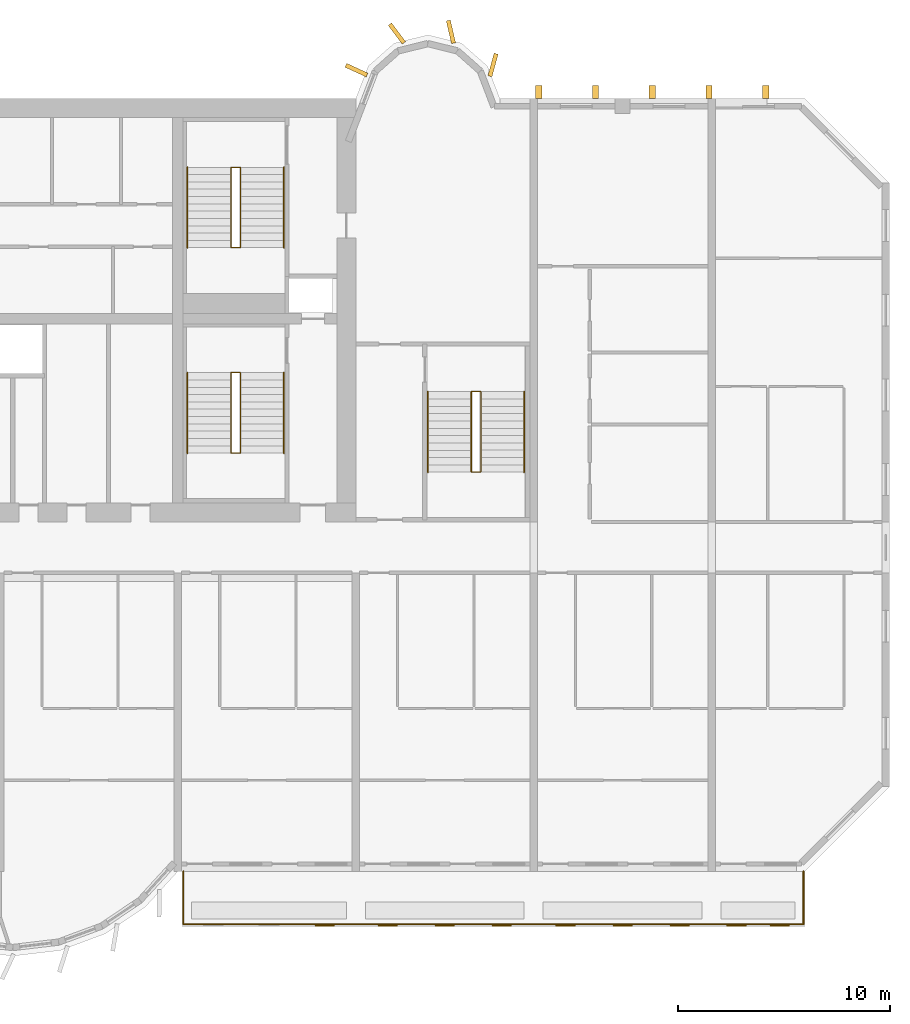
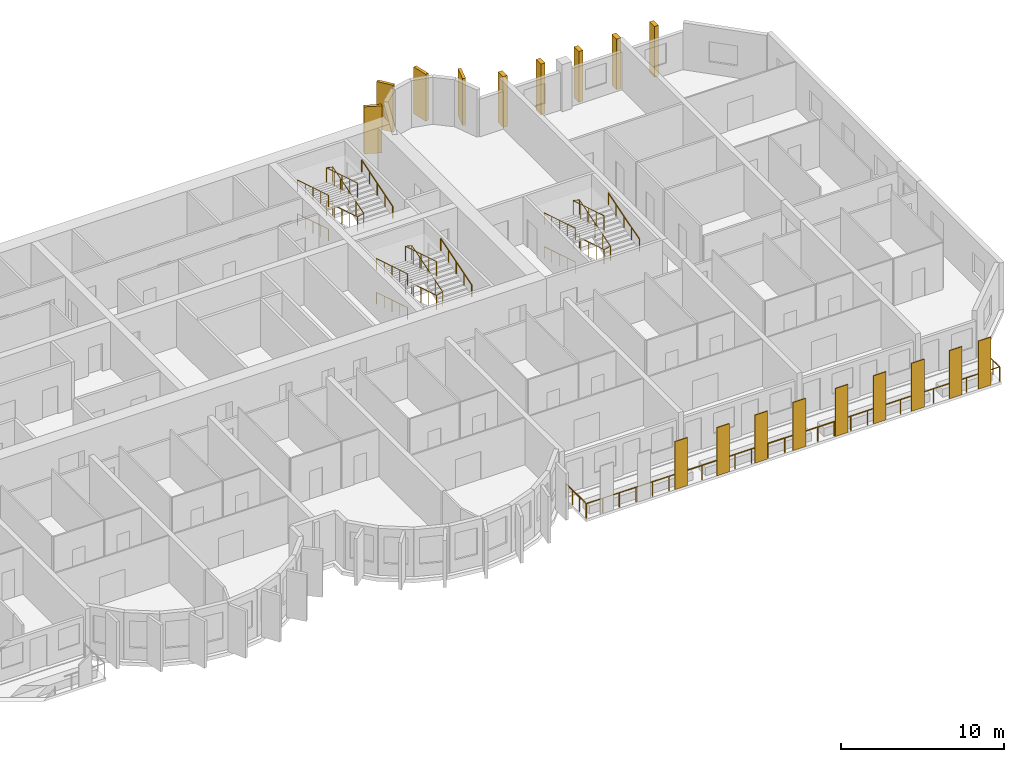
# One storey, part 14 of 15: 18 coverings, 13 railings.
"""IFC4 building model written with IfcOpenShell, lengths in metres."""

from ifc_helpers import new_model, si_unit, direction, frame, origin, origin_2d, place, context, subcontext, project, spatial, rectangle, circle, extrude, source, transform, mapped, material, layer, layer_set, material_profile, profile_set, type_object, element, save


model = new_model("IFC4")

# Units and contexts
model_context = context("Model", 3, precision=1e-05, world=origin(), true_north=direction((0.0, 1.0)))
body_context = subcontext(model_context, "Body", "Model", "MODEL_VIEW")
ifc_project = project(units=[si_unit("LENGTHUNIT", "METRE"), si_unit("AREAUNIT", "SQUARE_METRE"), si_unit("VOLUMEUNIT", "CUBIC_METRE"), si_unit("PLANEANGLEUNIT", "RADIAN"), si_unit("MASSUNIT", "GRAM", prefix="KILO")], contexts=[model_context])

# Site, building, storey
site_placement = place(None, origin())
site = spatial("IfcSite", under=ifc_project, at=site_placement, CompositionType="ELEMENT")
building_placement = place(site_placement, origin())
building = spatial("IfcBuilding", under=site, at=building_placement, Name="Vanashikhar Sky Hotel", CompositionType="ELEMENT")
storey_placement = place(building_placement, frame((0.0, 0.0, 133.199951171875)))
storey = spatial("IfcBuildingStorey", under=building, at=storey_placement, Name="L32", CompositionType="ELEMENT", Elevation=133.199951171875)

# Railing
ifc_material_1 = material(Name="Stainless steel 316", Category="steel")
railing_type_1 = type_object("IfcRailingType", Name="Balcony guard 1100", PredefinedType="GUARDRAIL", material=ifc_material_1)
shared_shape_1 = source(origin(), body_context, "Body", "SweptSolid", [
    extrude(circle(Radius=0.02392578125, at=origin_2d()), frame((0.0, 0.0, 1.076171875), z_axis=(0.0, -1.0, 0.0), x_axis=(1.0, 0.0, 0.0)), (0.0, 0.0, 1.0), 2.5),
    extrude(circle(Radius=0.02392578125, at=origin_2d()), frame((0.0, -2.5, 1.076171875), z_axis=(1.0, 0.0, 0.0), x_axis=(0.0, 1.0, 0.0)), (0.0, 0.0, 1.0), 29.280029296875),
    extrude(circle(Radius=0.02392578125, at=origin_2d()), frame((29.280029296875, -2.5, 1.076171875), z_axis=(0.0, 1.0, 0.0), x_axis=(-1.0, 0.0, 0.0)), (0.0, 0.0, 1.0), 2.5),
    extrude(circle(Radius=0.02099609375, at=origin_2d()), origin(), (0.0, 0.0, 1.0), 1.052001953125),
    extrude(circle(Radius=0.02099609375, at=origin_2d()), frame((0.0, -0.833251953125, 0.0)), (0.0, 0.0, 1.0), 1.052001953125),
    extrude(circle(Radius=0.02099609375, at=origin_2d()), frame((0.0, -1.666748046875, 0.0)), (0.0, 0.0, 1.0), 1.052001953125),
    extrude(circle(Radius=0.02099609375, at=origin_2d()), frame((0.0, -2.5, 0.0)), (0.0, 0.0, 1.0), 1.052001953125),
    extrude(circle(Radius=0.02099609375, at=origin_2d()), frame((1.171142578125, -2.5, 0.0)), (0.0, 0.0, 1.0), 1.052001953125),
    extrude(circle(Radius=0.02099609375, at=origin_2d()), frame((2.34228515625, -2.5, 0.0)), (0.0, 0.0, 1.0), 1.052001953125),
    extrude(circle(Radius=0.02099609375, at=origin_2d()), frame((3.513671875, -2.5, 0.0)), (0.0, 0.0, 1.0), 1.052001953125),
    extrude(circle(Radius=0.02099609375, at=origin_2d()), frame((4.684814453125, -2.5, 0.0)), (0.0, 0.0, 1.0), 1.052001953125),
    extrude(circle(Radius=0.02099609375, at=origin_2d()), frame((5.85595703125, -2.5, 0.0)), (0.0, 0.0, 1.0), 1.052001953125),
    extrude(circle(Radius=0.02099609375, at=origin_2d()), frame((7.027099609375, -2.5, 0.0)), (0.0, 0.0, 1.0), 1.052001953125),
    extrude(circle(Radius=0.02099609375, at=origin_2d()), frame((8.198486328125, -2.5, 0.0)), (0.0, 0.0, 1.0), 1.052001953125),
    extrude(circle(Radius=0.02099609375, at=origin_2d()), frame((9.36962890625, -2.5, 0.0)), (0.0, 0.0, 1.0), 1.052001953125),
    extrude(circle(Radius=0.02099609375, at=origin_2d()), frame((10.540771484375, -2.5, 0.0)), (0.0, 0.0, 1.0), 1.052001953125),
    extrude(circle(Radius=0.02099609375, at=origin_2d()), frame((11.7119140625, -2.5, 0.0)), (0.0, 0.0, 1.0), 1.052001953125),
    extrude(circle(Radius=0.02099609375, at=origin_2d()), frame((12.88330078125, -2.5, 0.0)), (0.0, 0.0, 1.0), 1.052001953125),
    extrude(circle(Radius=0.02099609375, at=origin_2d()), frame((14.054443359375, -2.5, 0.0)), (0.0, 0.0, 1.0), 1.052001953125),
    extrude(circle(Radius=0.02099609375, at=origin_2d()), frame((15.2255859375, -2.5, 0.0)), (0.0, 0.0, 1.0), 1.052001953125),
    extrude(circle(Radius=0.02099609375, at=origin_2d()), frame((16.396728515625, -2.5, 0.0)), (0.0, 0.0, 1.0), 1.052001953125),
    extrude(circle(Radius=0.02099609375, at=origin_2d()), frame((17.568115234375, -2.5, 0.0)), (0.0, 0.0, 1.0), 1.052001953125),
    extrude(circle(Radius=0.02099609375, at=origin_2d()), frame((18.7392578125, -2.5, 0.0)), (0.0, 0.0, 1.0), 1.052001953125),
    extrude(circle(Radius=0.02099609375, at=origin_2d()), frame((19.910400390625, -2.5, 0.0)), (0.0, 0.0, 1.0), 1.052001953125),
    extrude(circle(Radius=0.02099609375, at=origin_2d()), frame((21.08154296875, -2.5, 0.0)), (0.0, 0.0, 1.0), 1.052001953125),
    extrude(circle(Radius=0.02099609375, at=origin_2d()), frame((22.2529296875, -2.5, 0.0)), (0.0, 0.0, 1.0), 1.052001953125),
    extrude(circle(Radius=0.02099609375, at=origin_2d()), frame((23.424072265625, -2.5, 0.0)), (0.0, 0.0, 1.0), 1.052001953125),
    extrude(circle(Radius=0.02099609375, at=origin_2d()), frame((24.59521484375, -2.5, 0.0)), (0.0, 0.0, 1.0), 1.052001953125),
    extrude(circle(Radius=0.02099609375, at=origin_2d()), frame((25.766357421875, -2.5, 0.0)), (0.0, 0.0, 1.0), 1.052001953125),
    extrude(circle(Radius=0.02099609375, at=origin_2d()), frame((26.937744140625, -2.5, 0.0)), (0.0, 0.0, 1.0), 1.052001953125),
    extrude(circle(Radius=0.02099609375, at=origin_2d()), frame((28.10888671875, -2.5, 0.0)), (0.0, 0.0, 1.0), 1.052001953125),
    extrude(circle(Radius=0.02099609375, at=origin_2d()), frame((29.280029296875, -2.5, 0.0)), (0.0, 0.0, 1.0), 1.052001953125),
    extrude(circle(Radius=0.02099609375, at=origin_2d()), frame((29.280029296875, -1.666748046875, 0.0)), (0.0, 0.0, 1.0), 1.052001953125),
    extrude(circle(Radius=0.02099609375, at=origin_2d()), frame((29.280029296875, -0.833251953125, 0.0)), (0.0, 0.0, 1.0), 1.052001953125),
    extrude(circle(Radius=0.02099609375, at=origin_2d()), frame((29.280029296875, 0.0, 0.0)), (0.0, 0.0, 1.0), 1.052001953125),
])
railing_1_placement = place(storey_placement, frame((67.4599609375, 5.5, -0.050048828125)))
element("IfcRailing", 1, at=railing_1_placement, inside=storey, type_object=railing_type_1, Name="Balcony guard", PredefinedType="GUARDRAIL", context=body_context, shape_type="MappedRepresentation", body=[
    mapped(shared_shape_1, transform((0.0, 0.0, 0.0), scale=1.0)),
])

# Coverings
ifc_material_2 = material(Name="Terracotta", Category="masonry")
ifc_layer = layer(ifc_material_2, 0.06005859375)
ifc_layer_set = layer_set([ifc_layer], Name="Terracotta baguette screen")
covering_type_1 = type_object("IfcCoveringType", Name="Terracotta baguette screen", PredefinedType="CLADDING", material=ifc_layer_set)
shared_shape_2 = source(origin(), body_context, "Body", "SweptSolid", [
    extrude(rectangle(XDim=0.89990234375, YDim=0.06005859375, at=origin_2d()), origin(), (0.0, 0.0, 1.0), 3.60009765625),
])
for number, where, z_axis, x_axis, name in (
    (2, (74.13330078125, 2.929931640625, -0.050048828125), (0.0, 0.0, 1.0), (1.0, 0.0, 0.0), "Terracotta screen"),
    (3, (77.10009765625, 2.929931640625, -0.050048828125), (0.0, 0.0, 1.0), (1.0, 0.0, 0.0), "Terracotta screen"),
    (4, (79.800048828125, 2.929931640625, -0.050048828125), (0.0, 0.0, 1.0), (1.0, 0.0, 0.0), "Terracotta screen"),
    (5, (82.5, 2.929931640625, -0.050048828125), (0.0, 0.0, 1.0), (1.0, 0.0, 0.0), "Terracotta screen"),
    (6, (85.5, 2.929931640625, -0.050048828125), (0.0, 0.0, 1.0), (1.0, 0.0, 0.0), "Terracotta screen"),
    (7, (88.199951171875, 2.929931640625, -0.050048828125), (0.0, 0.0, 1.0), (1.0, 0.0, 0.0), "Terracotta screen"),
    (8, (90.89990234375, 2.929931640625, -0.050048828125), (0.0, 0.0, 1.0), (1.0, 0.0, 0.0), "Terracotta screen"),
    (9, (93.574951171875, 2.929931640625, -0.050048828125), (0.0, 0.0, 1.0), (1.0, 0.0, 0.0), "Terracotta screen"),
    (10, (95.625, 2.929931640625, -0.050048828125), (0.0, 0.0, 1.0), (1.0, 0.0, 0.0), "Terracotta screen"),
):
    element("IfcCovering", number, at=place(storey_placement, frame(where, z_axis=z_axis, x_axis=x_axis)), inside=storey, type_object=covering_type_1, Name=name, PredefinedType="CLADDING", context=body_context, shape_type="MappedRepresentation", body=[
        mapped(shared_shape_2, transform((0.0, 0.0, 0.0), scale=1.0)),
    ])
ifc_material_3 = material(Name="Concrete M60 dark", Category="concrete")
ifc_material_profile_1 = material_profile(ifc_material_3, rectangle(XDim=1.10009765625, YDim=0.199951171875, at=origin_2d()))
ifc_profile_set_1 = profile_set([ifc_material_profile_1], Name="Rear lobe fin 1100 x 200")
covering_type_2 = type_object("IfcCoveringType", Name="Rear lobe fin 1100 x 200", PredefinedType="CLADDING", material=ifc_profile_set_1)
shared_shape_3 = source(origin(), body_context, "Body", "SweptSolid", [
    extrude(rectangle(XDim=1.10009765625, YDim=0.199951171875, at=origin_2d()), origin(), (0.0, 0.0, 1.0), 3.52001953125),
])
for number, where, z_axis, x_axis, name in (
    (11, (75.63037109375, 43.33447265625, 0.0), (0.0, 0.0, 1.0), (-0.908004291068, 0.418960866193, 0.0), "Fin R2-1"),
    (12, (77.5380859375, 45.06640625, 0.0), (0.0, 0.0, 1.0), (-0.602065892195, 0.798446404874, 0.0), "Fin R2-2"),
    (13, (80.08984375, 45.1455078125, 0.0), (0.0, 0.0, 1.0), (-0.224644935864, 0.974440687159, 0.0), "Fin R2-3"),
    (14, (82.0791015625, 43.580078125, 0.0), (0.0, 0.0, 1.0), (0.262711264409, 0.964874495234, 0.0), "Fin R2-4"),
):
    element("IfcCovering", number, at=place(storey_placement, frame(where, z_axis=z_axis, x_axis=x_axis)), inside=storey, type_object=covering_type_2, Name=name, PredefinedType="CLADDING", context=body_context, shape_type="MappedRepresentation", body=[
        mapped(shared_shape_3, transform((0.0, 0.0, 0.0), scale=1.0)),
    ])
ifc_material_profile_2 = material_profile(ifc_material_3, rectangle(XDim=0.60009765625, YDim=0.300048828125, at=origin_2d()))
ifc_profile_set_2 = profile_set([ifc_material_profile_2], Name="Rear rib 600 x 300")
covering_type_3 = type_object("IfcCoveringType", Name="Rear rib 600 x 300", PredefinedType="CLADDING", material=ifc_profile_set_2)
shared_shape_4 = source(origin(), body_context, "Body", "SweptSolid", [
    extrude(rectangle(XDim=0.60009765625, YDim=0.300048828125, at=origin_2d()), origin(), (0.0, 0.0, 1.0), 3.800048828125),
])
for number, where, z_axis, x_axis, name in (
    (15, (84.239990234375, 42.300048828125, -0.280029296875), (0.0, 0.0, 1.0), (0.0, 1.0, 0.0), "Rear rib"),
    (16, (86.919921875, 42.300048828125, -0.280029296875), (0.0, 0.0, 1.0), (0.0, 1.0, 0.0), "Rear rib"),
    (17, (89.60009765625, 42.300048828125, -0.280029296875), (0.0, 0.0, 1.0), (0.0, 1.0, 0.0), "Rear rib"),
    (18, (92.280029296875, 42.300048828125, -0.280029296875), (0.0, 0.0, 1.0), (0.0, 1.0, 0.0), "Rear rib"),
    (19, (94.9599609375, 42.300048828125, -0.280029296875), (0.0, 0.0, 1.0), (0.0, 1.0, 0.0), "Rear rib"),
):
    element("IfcCovering", number, at=place(storey_placement, frame(where, z_axis=z_axis, x_axis=x_axis)), inside=storey, type_object=covering_type_3, Name=name, PredefinedType="CLADDING", context=body_context, shape_type="MappedRepresentation", body=[
        mapped(shared_shape_4, transform((0.0, 0.0, 0.0), scale=1.0)),
    ])

# Railings
ifc_material_4 = material(Name="Steel S355", Category="steel")
railing_type_2 = type_object("IfcRailingType", Name="Stair handrail 900", PredefinedType="HANDRAIL", material=ifc_material_4)
shared_shape_5 = source(origin(), body_context, "Body", "SweptSolid", [
    extrude(circle(Radius=0.02392578125, at=origin_2d()), frame((0.0, 0.0, 0.8759765625), z_axis=(0.0, 0.95635109408, 0.292220096591), x_axis=(-1.0, 0.0, 0.0)), (0.0, 0.0, 1.0), 3.973388671875),
    extrude(circle(Radius=0.02099609375, at=origin_2d()), origin(), (0.0, 0.0, 1.0), 0.851806640625),
    extrude(circle(Radius=0.02099609375, at=origin_2d()), frame((0.0, 0.949951171875, 0.290283203125)), (0.0, 0.0, 1.0), 0.851806640625),
    extrude(circle(Radius=0.02099609375, at=origin_2d()), frame((0.0, 1.89990234375, 0.58056640625)), (0.0, 0.0, 1.0), 0.851806640625),
    extrude(circle(Radius=0.02099609375, at=origin_2d()), frame((0.0, 2.85009765625, 0.870849609375)), (0.0, 0.0, 1.0), 0.851806640625),
    extrude(circle(Radius=0.02099609375, at=origin_2d()), frame((0.0, 3.800048828125, 1.1611328125)), (0.0, 0.0, 1.0), 0.851806640625),
])
for number, where, name in (
    (20, (72.199951171875, 25.25, 1.372314453125), "Exit stair 2 handrail"),
    (21, (72.199951171875, 34.949951171875, 1.372314453125), "Exit stair 6 handrail"),
):
    element("IfcRailing", number, at=place(storey_placement, frame(where)), inside=storey, type_object=railing_type_2, Name=name, PredefinedType="HANDRAIL", context=body_context, shape_type="MappedRepresentation", body=[
        mapped(shared_shape_5, transform((0.0, 0.0, 0.0), scale=1.0)),
    ])
shared_shape_6 = source(origin(), body_context, "Body", "SweptSolid", [
    extrude(circle(Radius=0.02392578125, at=origin_2d()), frame((0.0, 0.0, 0.8759765625), z_axis=(0.0, -0.95635109408, 0.292220096591), x_axis=(1.0, 0.0, 0.0)), (0.0, 0.0, 1.0), 3.973388671875),
    extrude(circle(Radius=0.02099609375, at=origin_2d()), origin(), (0.0, 0.0, 1.0), 0.851806640625),
    extrude(circle(Radius=0.02099609375, at=origin_2d()), frame((0.0, -0.949951171875, 0.290283203125)), (0.0, 0.0, 1.0), 0.851806640625),
    extrude(circle(Radius=0.02099609375, at=origin_2d()), frame((0.0, -1.89990234375, 0.58056640625)), (0.0, 0.0, 1.0), 0.851806640625),
    extrude(circle(Radius=0.02099609375, at=origin_2d()), frame((0.0, -2.85009765625, 0.870849609375)), (0.0, 0.0, 1.0), 0.851806640625),
    extrude(circle(Radius=0.02099609375, at=origin_2d()), frame((0.0, -3.800048828125, 1.1611328125)), (0.0, 0.0, 1.0), 0.851806640625),
])
for number, where, name in (
    (22, (67.64990234375, 29.050048828125, 2.638916015625), "Exit stair 2 handrail"),
    (23, (67.64990234375, 38.75, 2.638916015625), "Exit stair 6 handrail"),
):
    element("IfcRailing", number, at=place(storey_placement, frame(where)), inside=storey, type_object=railing_type_2, Name=name, PredefinedType="HANDRAIL", context=body_context, shape_type="MappedRepresentation", body=[
        mapped(shared_shape_6, transform((0.0, 0.0, 0.0), scale=1.0)),
    ])
shared_shape_7 = source(origin(), body_context, "Body", "SweptSolid", [
    extrude(circle(Radius=0.02392578125, at=origin_2d()), frame((0.0, 0.0, 0.8759765625), z_axis=(0.0, -0.956368263741, 0.292163899395), x_axis=(1.0, 0.0, 0.0)), (0.0, 0.0, 1.0), 3.973388671875),
    extrude(circle(Radius=0.02099609375, at=origin_2d()), origin(), (0.0, 0.0, 1.0), 0.851806640625),
    extrude(circle(Radius=0.02099609375, at=origin_2d()), frame((0.0, -0.949951171875, 0.290283203125)), (0.0, 0.0, 1.0), 0.851806640625),
    extrude(circle(Radius=0.02099609375, at=origin_2d()), frame((0.0, -1.89990234375, 0.58056640625)), (0.0, 0.0, 1.0), 0.851806640625),
    extrude(circle(Radius=0.02099609375, at=origin_2d()), frame((0.0, -2.85009765625, 0.87060546875)), (0.0, 0.0, 1.0), 0.851806640625),
    extrude(circle(Radius=0.02099609375, at=origin_2d()), frame((0.0, -3.800048828125, 1.160888671875)), (0.0, 0.0, 1.0), 0.851806640625),
])
for number, where, name in (
    (24, (67.64990234375, 29.050048828125, 0.105712890625), "Exit stair 2 handrail"),
    (25, (67.64990234375, 38.75, 0.105712890625), "Exit stair 6 handrail"),
):
    element("IfcRailing", number, at=place(storey_placement, frame(where)), inside=storey, type_object=railing_type_2, Name=name, PredefinedType="HANDRAIL", context=body_context, shape_type="MappedRepresentation", body=[
        mapped(shared_shape_7, transform((0.0, 0.0, 0.0), scale=1.0)),
    ])
railing_type_3 = type_object("IfcRailingType", Name="Stair guard 1100", PredefinedType="GUARDRAIL", material=ifc_material_4)
shared_shape_8 = source(origin(), body_context, "Body", "SweptSolid", [
    extrude(circle(Radius=0.02392578125, at=origin_2d()), frame((0.0, 0.0, 1.076171875), z_axis=(-0.973493315427, 0.0, 0.228715466945), x_axis=(0.0, -1.0, 0.0)), (0.0, 0.0, 1.0), 0.462158203125),
    extrude(circle(Radius=0.02392578125, at=origin_2d()), frame((-0.449951171875, 0.0, 1.181640625), z_axis=(0.0, -0.956368263741, 0.292163899395), x_axis=(1.0, 0.0, 0.0)), (0.0, 0.0, 1.0), 3.973388671875),
    extrude(circle(Radius=0.02392578125, at=origin_2d()), frame((-0.449951171875, -3.800048828125, 2.3427734375), z_axis=(0.973493315427, 0.0, 0.228715466945), x_axis=(0.0, 1.0, 0.0)), (0.0, 0.0, 1.0), 0.462158203125),
    extrude(circle(Radius=0.02392578125, at=origin_2d()), frame((0.0, -3.800048828125, 2.4482421875), z_axis=(0.0, 0.95635109408, 0.292220096591), x_axis=(-1.0, 0.0, 0.0)), (0.0, 0.0, 1.0), 3.973388671875),
    extrude(circle(Radius=0.02392578125, at=origin_2d()), frame((0.0, 0.0, 3.609375), z_axis=(-0.973610808694, 0.0, 0.228214796178), x_axis=(0.0, -1.0, 0.0)), (0.0, 0.0, 1.0), 0.462158203125),
    extrude(circle(Radius=0.02392578125, at=origin_2d()), frame((-0.449951171875, 0.0, 3.71484375), z_axis=(0.0, -0.95635109408, 0.292220096591), x_axis=(1.0, 0.0, 0.0)), (0.0, 0.0, 1.0), 3.973388671875),
    extrude(circle(Radius=0.02099609375, at=origin_2d()), origin(), (0.0, 0.0, 1.0), 1.052001953125),
    extrude(circle(Radius=0.02099609375, at=origin_2d()), frame((-0.449951171875, 0.0, 0.105712890625)), (0.0, 0.0, 1.0), 1.052001953125),
    extrude(circle(Radius=0.02099609375, at=origin_2d()), frame((-0.449951171875, -0.949951171875, 0.39599609375)), (0.0, 0.0, 1.0), 1.052001953125),
    extrude(circle(Radius=0.02099609375, at=origin_2d()), frame((-0.449951171875, -1.89990234375, 0.68603515625)), (0.0, 0.0, 1.0), 1.052001953125),
    extrude(circle(Radius=0.02099609375, at=origin_2d()), frame((-0.449951171875, -2.85009765625, 0.976318359375)), (0.0, 0.0, 1.0), 1.052001953125),
    extrude(circle(Radius=0.02099609375, at=origin_2d()), frame((-0.449951171875, -3.800048828125, 1.2666015625)), (0.0, 0.0, 1.0), 1.052001953125),
    extrude(circle(Radius=0.02099609375, at=origin_2d()), frame((0.0, -3.800048828125, 1.372314453125)), (0.0, 0.0, 1.0), 1.052001953125),
    extrude(circle(Radius=0.02099609375, at=origin_2d()), frame((0.0, -2.85009765625, 1.66259765625)), (0.0, 0.0, 1.0), 1.052001953125),
    extrude(circle(Radius=0.02099609375, at=origin_2d()), frame((0.0, -1.89990234375, 1.952880859375)), (0.0, 0.0, 1.0), 1.052001953125),
    extrude(circle(Radius=0.02099609375, at=origin_2d()), frame((0.0, -0.949951171875, 2.2431640625)), (0.0, 0.0, 1.0), 1.052001953125),
    extrude(circle(Radius=0.02099609375, at=origin_2d()), frame((0.0, 0.0, 2.533447265625)), (0.0, 0.0, 1.0), 1.052001953125),
    extrude(circle(Radius=0.02099609375, at=origin_2d()), frame((-0.449951171875, 0.0, 2.638916015625)), (0.0, 0.0, 1.0), 1.052001953125),
    extrude(circle(Radius=0.02099609375, at=origin_2d()), frame((-0.449951171875, -0.949951171875, 2.92919921875)), (0.0, 0.0, 1.0), 1.052001953125),
    extrude(circle(Radius=0.02099609375, at=origin_2d()), frame((-0.449951171875, -1.89990234375, 3.219482421875)), (0.0, 0.0, 1.0), 1.052001953125),
    extrude(circle(Radius=0.02099609375, at=origin_2d()), frame((-0.449951171875, -2.85009765625, 3.509765625)), (0.0, 0.0, 1.0), 1.052001953125),
    extrude(circle(Radius=0.02099609375, at=origin_2d()), frame((-0.449951171875, -3.800048828125, 3.800048828125)), (0.0, 0.0, 1.0), 1.052001953125),
])
for number, where, name in (
    (26, (70.14990234375, 29.050048828125, 0.0), "Exit stair 2 guard"),
    (27, (70.14990234375, 38.75, 0.0), "Exit stair 6 guard"),
):
    element("IfcRailing", number, at=place(storey_placement, frame(where)), inside=storey, type_object=railing_type_3, Name=name, PredefinedType="GUARDRAIL", context=body_context, shape_type="MappedRepresentation", body=[
        mapped(shared_shape_8, transform((0.0, 0.0, 0.0), scale=1.0)),
    ])
shared_shape_9 = source(origin(), body_context, "Body", "SweptSolid", [
    extrude(circle(Radius=0.02392578125, at=origin_2d()), frame((0.0, 0.0, 0.8759765625), z_axis=(0.0, 0.956345846891, 0.292237268557), x_axis=(-1.0, 0.0, 0.0)), (0.0, 0.0, 1.0), 3.97314453125),
    extrude(circle(Radius=0.02099609375, at=origin_2d()), origin(), (0.0, 0.0, 1.0), 0.851806640625),
    extrude(circle(Radius=0.02099609375, at=origin_2d()), frame((0.0, 0.949951171875, 0.290283203125)), (0.0, 0.0, 1.0), 0.851806640625),
    extrude(circle(Radius=0.02099609375, at=origin_2d()), frame((0.0, 1.89990234375, 0.58056640625)), (0.0, 0.0, 1.0), 0.851806640625),
    extrude(circle(Radius=0.02099609375, at=origin_2d()), frame((0.0, 2.849853515625, 0.870849609375)), (0.0, 0.0, 1.0), 0.851806640625),
    extrude(circle(Radius=0.02099609375, at=origin_2d()), frame((0.0, 3.7998046875, 1.1611328125)), (0.0, 0.0, 1.0), 0.851806640625),
])
railing_2_placement = place(storey_placement, frame((83.550048828125, 24.35009765625, 1.372314453125)))
element("IfcRailing", 28, at=railing_2_placement, inside=storey, type_object=railing_type_2, Name="Exit stair 4 handrail", PredefinedType="HANDRAIL", context=body_context, shape_type="MappedRepresentation", body=[
    mapped(shared_shape_9, transform((0.0, 0.0, 0.0), scale=1.0)),
])
shared_shape_10 = source(origin(), body_context, "Body", "SweptSolid", [
    extrude(circle(Radius=0.02392578125, at=origin_2d()), frame((0.0, 0.0, 0.8759765625), z_axis=(0.0, -0.956345846891, 0.292237268557), x_axis=(1.0, 0.0, 0.0)), (0.0, 0.0, 1.0), 3.97314453125),
    extrude(circle(Radius=0.02099609375, at=origin_2d()), origin(), (0.0, 0.0, 1.0), 0.851806640625),
    extrude(circle(Radius=0.02099609375, at=origin_2d()), frame((0.0, -0.949951171875, 0.290283203125)), (0.0, 0.0, 1.0), 0.851806640625),
    extrude(circle(Radius=0.02099609375, at=origin_2d()), frame((0.0, -1.89990234375, 0.58056640625)), (0.0, 0.0, 1.0), 0.851806640625),
    extrude(circle(Radius=0.02099609375, at=origin_2d()), frame((0.0, -2.849853515625, 0.870849609375)), (0.0, 0.0, 1.0), 0.851806640625),
    extrude(circle(Radius=0.02099609375, at=origin_2d()), frame((0.0, -3.7998046875, 1.1611328125)), (0.0, 0.0, 1.0), 0.851806640625),
])
railing_3_placement = place(storey_placement, frame((79.0, 28.14990234375, 2.638916015625)))
element("IfcRailing", 29, at=railing_3_placement, inside=storey, type_object=railing_type_2, Name="Exit stair 4 handrail", PredefinedType="HANDRAIL", context=body_context, shape_type="MappedRepresentation", body=[
    mapped(shared_shape_10, transform((0.0, 0.0, 0.0), scale=1.0)),
])
shared_shape_11 = source(origin(), body_context, "Body", "SweptSolid", [
    extrude(circle(Radius=0.02392578125, at=origin_2d()), frame((0.0, 0.0, 1.076171875), z_axis=(-0.973493315427, 0.0, 0.228715466945), x_axis=(0.0, -1.0, 0.0)), (0.0, 0.0, 1.0), 0.462158203125),
    extrude(circle(Radius=0.02392578125, at=origin_2d()), frame((-0.449951171875, 0.0, 1.181640625), z_axis=(0.0, -0.956363018476, 0.292181068675), x_axis=(1.0, 0.0, 0.0)), (0.0, 0.0, 1.0), 3.97314453125),
    extrude(circle(Radius=0.02392578125, at=origin_2d()), frame((-0.449951171875, -3.7998046875, 2.3427734375), z_axis=(0.973493315427, 0.0, 0.228715466945), x_axis=(0.0, 1.0, 0.0)), (0.0, 0.0, 1.0), 0.462158203125),
    extrude(circle(Radius=0.02392578125, at=origin_2d()), frame((0.0, -3.7998046875, 2.4482421875), z_axis=(0.0, 0.956345846891, 0.292237268557), x_axis=(-1.0, 0.0, 0.0)), (0.0, 0.0, 1.0), 3.97314453125),
    extrude(circle(Radius=0.02392578125, at=origin_2d()), frame((0.0, 0.0, 3.609375), z_axis=(-0.973610808694, 0.0, 0.228214796178), x_axis=(0.0, -1.0, 0.0)), (0.0, 0.0, 1.0), 0.462158203125),
    extrude(circle(Radius=0.02392578125, at=origin_2d()), frame((-0.449951171875, 0.0, 3.71484375), z_axis=(0.0, -0.956345846891, 0.292237268557), x_axis=(1.0, 0.0, 0.0)), (0.0, 0.0, 1.0), 3.97314453125),
    extrude(circle(Radius=0.02099609375, at=origin_2d()), origin(), (0.0, 0.0, 1.0), 1.052001953125),
    extrude(circle(Radius=0.02099609375, at=origin_2d()), frame((-0.449951171875, 0.0, 0.105712890625)), (0.0, 0.0, 1.0), 1.052001953125),
    extrude(circle(Radius=0.02099609375, at=origin_2d()), frame((-0.449951171875, -0.949951171875, 0.39599609375)), (0.0, 0.0, 1.0), 1.052001953125),
    extrude(circle(Radius=0.02099609375, at=origin_2d()), frame((-0.449951171875, -1.89990234375, 0.68603515625)), (0.0, 0.0, 1.0), 1.052001953125),
    extrude(circle(Radius=0.02099609375, at=origin_2d()), frame((-0.449951171875, -2.849853515625, 0.976318359375)), (0.0, 0.0, 1.0), 1.052001953125),
    extrude(circle(Radius=0.02099609375, at=origin_2d()), frame((-0.449951171875, -3.7998046875, 1.2666015625)), (0.0, 0.0, 1.0), 1.052001953125),
    extrude(circle(Radius=0.02099609375, at=origin_2d()), frame((0.0, -3.7998046875, 1.372314453125)), (0.0, 0.0, 1.0), 1.052001953125),
    extrude(circle(Radius=0.02099609375, at=origin_2d()), frame((0.0, -2.849853515625, 1.66259765625)), (0.0, 0.0, 1.0), 1.052001953125),
    extrude(circle(Radius=0.02099609375, at=origin_2d()), frame((0.0, -1.89990234375, 1.952880859375)), (0.0, 0.0, 1.0), 1.052001953125),
    extrude(circle(Radius=0.02099609375, at=origin_2d()), frame((0.0, -0.949951171875, 2.2431640625)), (0.0, 0.0, 1.0), 1.052001953125),
    extrude(circle(Radius=0.02099609375, at=origin_2d()), frame((0.0, 0.0, 2.533447265625)), (0.0, 0.0, 1.0), 1.052001953125),
    extrude(circle(Radius=0.02099609375, at=origin_2d()), frame((-0.449951171875, 0.0, 2.638916015625)), (0.0, 0.0, 1.0), 1.052001953125),
    extrude(circle(Radius=0.02099609375, at=origin_2d()), frame((-0.449951171875, -0.949951171875, 2.92919921875)), (0.0, 0.0, 1.0), 1.052001953125),
    extrude(circle(Radius=0.02099609375, at=origin_2d()), frame((-0.449951171875, -1.89990234375, 3.219482421875)), (0.0, 0.0, 1.0), 1.052001953125),
    extrude(circle(Radius=0.02099609375, at=origin_2d()), frame((-0.449951171875, -2.849853515625, 3.509765625)), (0.0, 0.0, 1.0), 1.052001953125),
    extrude(circle(Radius=0.02099609375, at=origin_2d()), frame((-0.449951171875, -3.7998046875, 3.800048828125)), (0.0, 0.0, 1.0), 1.052001953125),
])
railing_4_placement = place(storey_placement, frame((81.5, 28.14990234375, 0.0)))
element("IfcRailing", 30, at=railing_4_placement, inside=storey, type_object=railing_type_3, Name="Exit stair 4 guard", PredefinedType="GUARDRAIL", context=body_context, shape_type="MappedRepresentation", body=[
    mapped(shared_shape_11, transform((0.0, 0.0, 0.0), scale=1.0)),
])
shared_shape_12 = source(origin(), body_context, "Body", "SweptSolid", [
    extrude(circle(Radius=0.02392578125, at=origin_2d()), frame((0.0, 0.0, 0.8759765625), z_axis=(0.0, -0.956363018476, 0.292181068675), x_axis=(1.0, 0.0, 0.0)), (0.0, 0.0, 1.0), 3.97314453125),
    extrude(circle(Radius=0.02099609375, at=origin_2d()), origin(), (0.0, 0.0, 1.0), 0.851806640625),
    extrude(circle(Radius=0.02099609375, at=origin_2d()), frame((0.0, -0.949951171875, 0.290283203125)), (0.0, 0.0, 1.0), 0.851806640625),
    extrude(circle(Radius=0.02099609375, at=origin_2d()), frame((0.0, -1.89990234375, 0.58056640625)), (0.0, 0.0, 1.0), 0.851806640625),
    extrude(circle(Radius=0.02099609375, at=origin_2d()), frame((0.0, -2.849853515625, 0.87060546875)), (0.0, 0.0, 1.0), 0.851806640625),
    extrude(circle(Radius=0.02099609375, at=origin_2d()), frame((0.0, -3.7998046875, 1.160888671875)), (0.0, 0.0, 1.0), 0.851806640625),
])
railing_5_placement = place(storey_placement, frame((79.0, 28.14990234375, 0.105712890625)))
element("IfcRailing", 31, at=railing_5_placement, inside=storey, type_object=railing_type_2, Name="Exit stair 4 handrail", PredefinedType="HANDRAIL", context=body_context, shape_type="MappedRepresentation", body=[
    mapped(shared_shape_12, transform((0.0, 0.0, 0.0), scale=1.0)),
])

save(model, "model.ifc")
